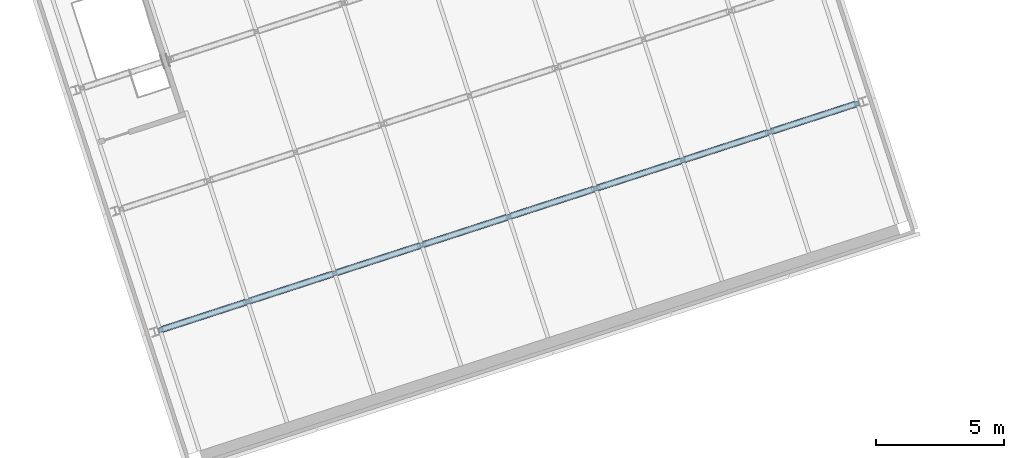
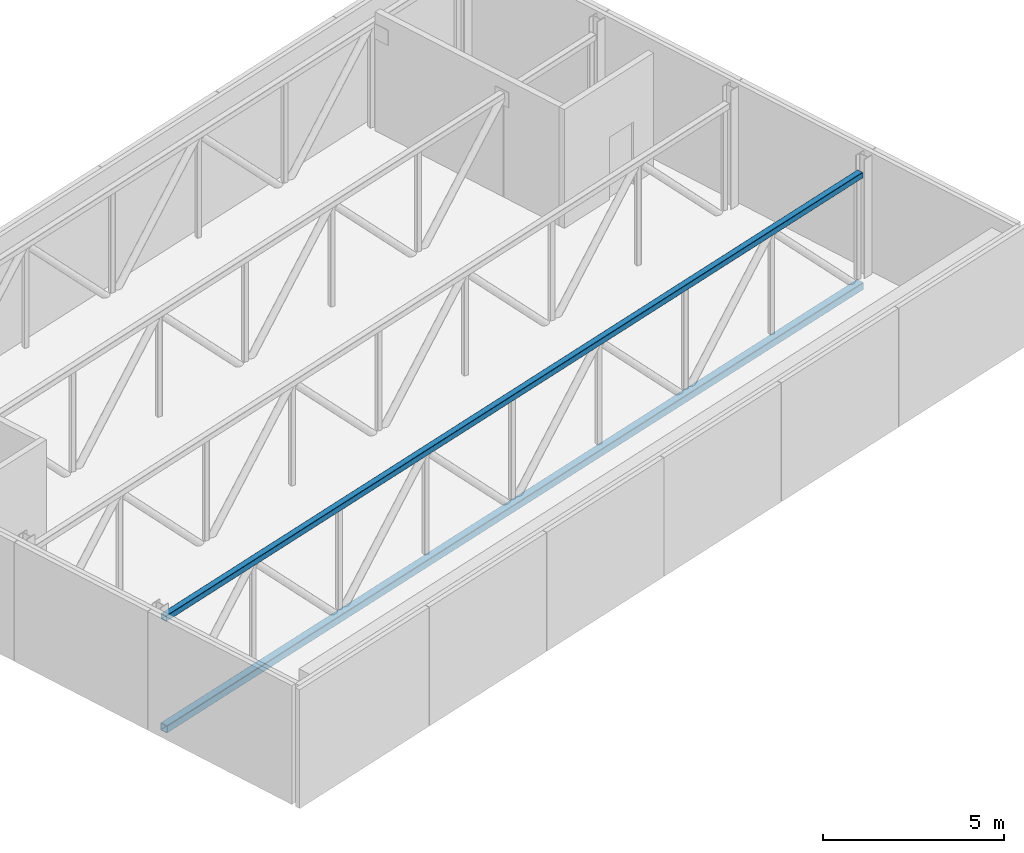
# One storey, part 4 of 52: 2 members.
"""IFC4 building model written with IfcOpenShell, lengths in metres."""

from ifc_helpers import new_model, si_unit, direction, frame, origin, origin_2d, place, context, subcontext, project, spatial, hollow_rectangle, extrude, material, material_profile, profile_set, type_object, element, save


model = new_model("IFC4")

# Units and contexts
model_context = context("Model", 3, precision=1e-05, world=origin(), true_north=direction((0.0, 1.0)))
body_context = subcontext(model_context, "Body", "Model", "MODEL_VIEW")
ifc_project = project(units=[si_unit("LENGTHUNIT", "METRE"), si_unit("AREAUNIT", "SQUARE_METRE"), si_unit("VOLUMEUNIT", "CUBIC_METRE"), si_unit("PLANEANGLEUNIT", "RADIAN"), si_unit("MASSUNIT", "GRAM", prefix="KILO")], contexts=[model_context])

# Site, building, storey
site_placement = place(None, origin())
site = spatial("IfcSite", under=ifc_project, at=site_placement, CompositionType="ELEMENT")
building_placement = place(site_placement, origin())
building = spatial("IfcBuilding", under=site, at=building_placement, Name="Tuart Plaza Theatre", CompositionType="ELEMENT")
storey_placement = place(building_placement, frame((0.0, 0.0, 25.5)))
storey = spatial("IfcBuildingStorey", under=building, at=storey_placement, Name="L06", CompositionType="ELEMENT", Elevation=25.5)

# Members
ifc_material_1 = material(Name="Steel Grade C350L0", Category="steel")
ifc_material_profile_1 = material_profile(ifc_material_1, hollow_rectangle(XDim=0.199951171875, YDim=0.199951171875, WallThickness=0.010009765625, InnerFilletRadius=0.010009765625, OuterFilletRadius=0.02001953125, at=origin_2d()), Name="200x200x10 SHS")
ifc_profile_set_1 = profile_set([ifc_material_profile_1], Name="Steel Grade C350L0")
member_type_1 = type_object("IfcMemberType", Name="MEMBER Chord 200x200x10 SHS", PredefinedType="CHORD", material=ifc_profile_set_1)
member_1_placement = place(storey_placement, frame((39.904052734375, 73.57568359375, 3.447021484375), z_axis=(0.951057455202, 0.309014104702, 0.0), x_axis=(-0.309014104702, 0.951057455202, 0.0)))
element("IfcMember", 1, at=member_1_placement, inside=storey, type_object=member_type_1, Name="CH12", PredefinedType="CHORD", context=body_context, shape_type="SweptSolid", body=[
    extrude(hollow_rectangle(XDim=0.199951171875, YDim=0.199951171875, WallThickness=0.010009765625, InnerFilletRadius=0.010009765625, OuterFilletRadius=0.02001953125, at=origin_2d()), origin(), (0.0, 0.0, 1.0), 28.688720703125),
])
ifc_material_2 = material(Name="Steel Grade C350L0", Category="steel")
ifc_material_profile_2 = material_profile(ifc_material_2, hollow_rectangle(XDim=0.25, YDim=0.25, WallThickness=0.012451171875, InnerFilletRadius=0.012451171875, OuterFilletRadius=0.02490234375, at=origin_2d()), Name="250x250x12.5 SHS")
ifc_profile_set_2 = profile_set([ifc_material_profile_2], Name="Steel Grade C350L0")
member_type_2 = type_object("IfcMemberType", Name="MEMBER Chord 250x250x12.5 SHS", PredefinedType="CHORD", material=ifc_profile_set_2)
member_2_placement = place(storey_placement, frame((39.904052734375, 73.57568359375, -0.27490234375), z_axis=(0.951057455202, 0.309014104702, 0.0), x_axis=(-0.309014104702, 0.951057455202, 0.0)))
element("IfcMember", 2, at=member_2_placement, inside=storey, type_object=member_type_2, Name="CH11", PredefinedType="CHORD", context=body_context, shape_type="SweptSolid", body=[
    extrude(hollow_rectangle(XDim=0.25, YDim=0.25, WallThickness=0.012451171875, InnerFilletRadius=0.012451171875, OuterFilletRadius=0.02490234375, at=origin_2d()), origin(), (0.0, 0.0, 1.0), 28.688720703125),
])

save(model, "model.ifc")
